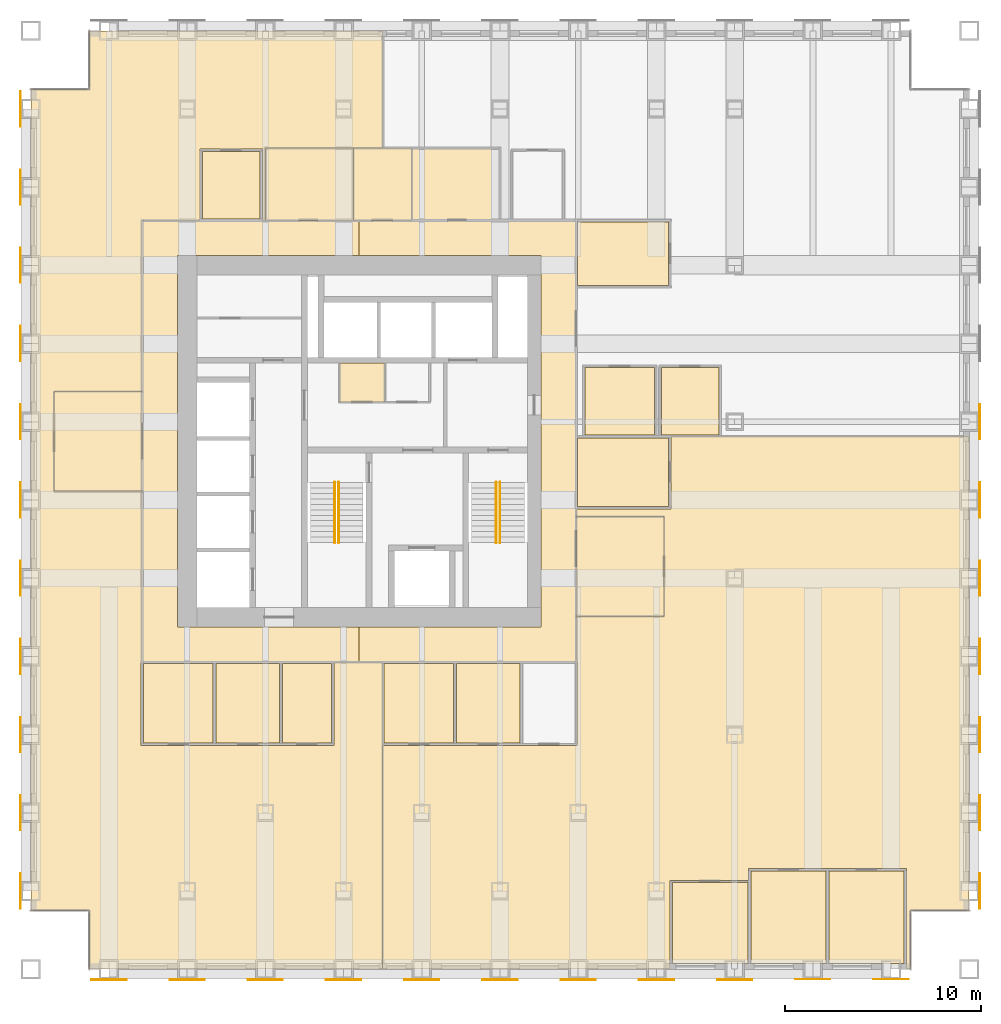
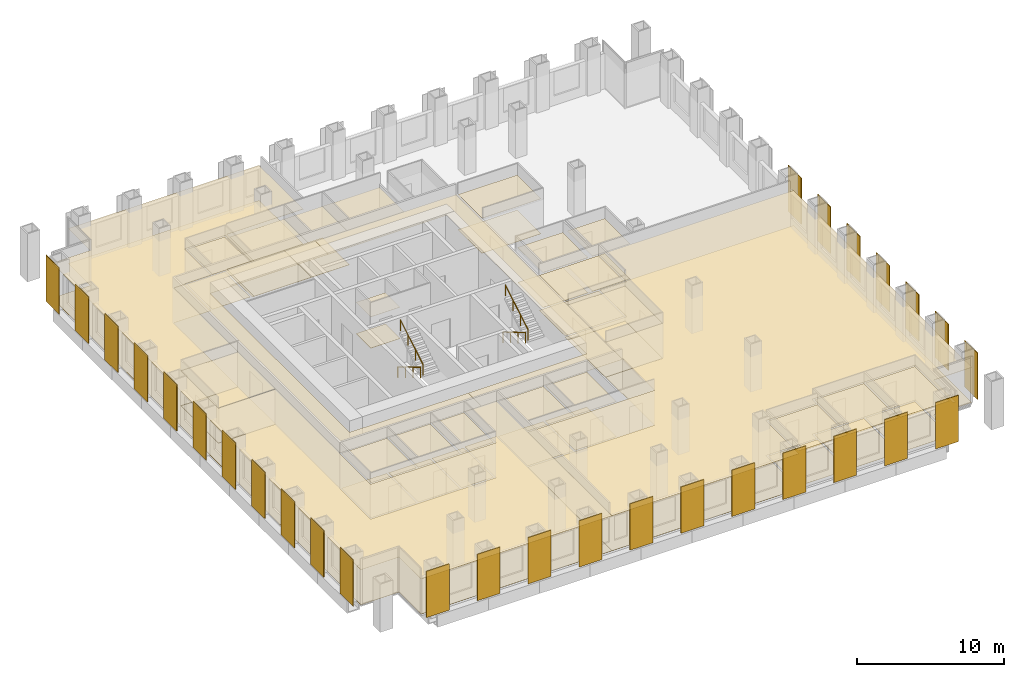
# One storey, part 15 of 16: 43 coverings, 29 shading devices, 4 railings.
"""IFC4 building model written with IfcOpenShell, lengths in metres."""

from ifc_helpers import new_model, si_unit, direction, frame, origin, origin_2d, place, context, subcontext, project, spatial, polyline, rectangle, circle, outline, extrude, material, layer, layer_set, type_object, element, save


model = new_model("IFC4")

# Units and contexts
model_context = context("Model", 3, precision=1e-05, world=origin(), true_north=direction((0.0, 1.0)))
body_context = subcontext(model_context, "Body", "Model", "MODEL_VIEW")
ifc_project = project(units=[si_unit("LENGTHUNIT", "METRE"), si_unit("AREAUNIT", "SQUARE_METRE"), si_unit("VOLUMEUNIT", "CUBIC_METRE"), si_unit("PLANEANGLEUNIT", "RADIAN"), si_unit("MASSUNIT", "GRAM", prefix="KILO")], contexts=[model_context])

# Site, building, storey
site_placement = place(None, origin())
site = spatial("IfcSite", under=ifc_project, at=site_placement, CompositionType="ELEMENT")
building_placement = place(site_placement, origin())
building = spatial("IfcBuilding", under=site, at=building_placement, Name="Rimbunsela Tower", CompositionType="ELEMENT")
storey_placement = place(building_placement, frame((0.0, 0.0, 97.39990234375)))
storey = spatial("IfcBuildingStorey", under=building, at=storey_placement, Name="L23", CompositionType="ELEMENT", Elevation=97.39990234375)

# Coverings
ifc_material_1 = material(Name="Nylon carpet tile", Category="textile")
ifc_layer_1 = layer(ifc_material_1, 0.010009765625)
ifc_layer_set_1 = layer_set([ifc_layer_1], Name="Carpet tile 10")
covering_type_1 = type_object("IfcCoveringType", Name="Carpet tile 10", PredefinedType="FLOORING", material=ifc_layer_set_1)
covering_1_placement = place(storey_placement, origin())
element("IfcCovering", 1, at=covering_1_placement, inside=storey, type_object=covering_type_1, Name="Floor finish Open office", PredefinedType="FLOORING", context=body_context, shape_type="SweptSolid", body=[
    extrude(outline(polyline([(19.449951171875, 11.449951171875), (22.75, 11.449951171875), (22.85009765625, 11.449951171875), (25.5, 11.449951171875), (25.5, 15.699951171875), (27.9990234375, 15.699951171875), (27.9990234375, 0.0), (15.699951171875, 0.0), (13.0, 0.0), (13.0, 3.0), (10.0, 3.0), (10.0, 45.0), (13.0, 45.0), (13.0, 48.0), (15.699951171875, 48.0), (27.9990234375, 48.0), (27.9990234375, 42.0), (22.0, 42.0), (22.0, 38.300048828125), (21.85009765625, 38.300048828125), (21.85009765625, 41.949951171875), (18.64990234375, 41.949951171875), (18.64990234375, 38.300048828125), (15.699951171875, 38.300048828125), (15.699951171875, 29.550048828125), (11.199951171875, 29.550048828125), (11.199951171875, 24.449951171875), (15.699951171875, 24.449951171875), (15.699951171875, 15.75), (15.64990234375, 15.75), (15.64990234375, 11.449951171875), (15.699951171875, 11.449951171875), (19.35009765625, 11.449951171875), (19.449951171875, 11.449951171875)])), origin(), (0.0, 0.0, 1.0), 0.010009765625),
])
covering_2_placement = place(storey_placement, origin())
element("IfcCovering", 2, at=covering_2_placement, inside=storey, type_object=covering_type_1, Name="Floor finish Open office", PredefinedType="FLOORING", context=body_context, shape_type="SweptSolid", body=[
    extrude(outline(polyline([(28.0009765625, 11.449951171875), (31.65087890625, 11.449951171875), (31.7509765625, 11.449951171875), (35.051025390625, 11.449951171875), (35.15087890625, 11.449951171875), (37.89990234375, 11.449951171875), (37.949951171875, 11.449951171875), (37.949951171875, 15.75), (37.89990234375, 15.75), (37.89990234375, 18.049072265625), (42.39990234375, 18.049072265625), (42.39990234375, 23.14892578125), (37.89990234375, 23.14892578125), (37.89990234375, 23.549072265625), (42.75, 23.549072265625), (42.75, 27.2490234375), (58.0, 27.2490234375), (58.0, 3.0), (55.0, 3.0), (55.0, 0.0), (54.800048828125, 0.0), (54.800048828125, 5.14990234375), (50.800048828125, 5.14990234375), (50.699951171875, 5.14990234375), (46.699951171875, 5.14990234375), (46.699951171875, 4.550048828125), (42.699951171875, 4.550048828125), (42.699951171875, 0.0), (37.89990234375, 0.0), (28.0009765625, 0.0), (28.0009765625, 11.449951171875)])), origin(), (0.0, 0.0, 1.0), 0.010009765625),
])
covering_3_placement = place(storey_placement, origin())
element("IfcCovering", 3, at=covering_3_placement, inside=storey, type_object=covering_type_1, Name="Floor finish Reception", PredefinedType="FLOORING", context=body_context, shape_type="SweptSolid", body=[
    extrude(outline(polyline([(15.699951171875, 24.449951171875), (15.699951171875, 29.550048828125), (11.199951171875, 29.550048828125), (11.199951171875, 24.449951171875), (15.699951171875, 24.449951171875)])), origin(), (0.0, 0.0, 1.0), 0.010009765625),
])
covering_4_placement = place(storey_placement, origin())
element("IfcCovering", 4, at=covering_4_placement, inside=storey, type_object=covering_type_1, Name="Floor finish Reception", PredefinedType="FLOORING", context=body_context, shape_type="SweptSolid", body=[
    extrude(outline(polyline([(42.39990234375, 18.049072265625), (42.39990234375, 23.14892578125), (37.89990234375, 23.14892578125), (37.89990234375, 18.049072265625), (42.39990234375, 18.049072265625)])), origin(), (0.0, 0.0, 1.0), 0.010009765625),
])
covering_5_placement = place(storey_placement, origin())
element("IfcCovering", 5, at=covering_5_placement, inside=storey, type_object=covering_type_1, Name="Floor finish Executive office", PredefinedType="FLOORING", context=body_context, shape_type="SweptSolid", body=[
    extrude(outline(polyline([(46.675048828125, 0.300048828125), (46.675048828125, 4.425048828125), (42.824951171875, 4.425048828125), (42.824951171875, 0.300048828125), (46.675048828125, 0.300048828125)])), origin(), (0.0, 0.0, 1.0), 0.010009765625),
])
covering_6_placement = place(storey_placement, origin())
element("IfcCovering", 6, at=covering_6_placement, inside=storey, type_object=covering_type_1, Name="Floor finish Meeting room", PredefinedType="FLOORING", context=body_context, shape_type="SweptSolid", body=[
    extrude(outline(polyline([(50.675048828125, 0.300048828125), (50.675048828125, 5.02490234375), (46.824951171875, 5.02490234375), (46.824951171875, 0.300048828125), (50.675048828125, 0.300048828125)])), origin(), (0.0, 0.0, 1.0), 0.010009765625),
])
covering_7_placement = place(storey_placement, origin())
element("IfcCovering", 7, at=covering_7_placement, inside=storey, type_object=covering_type_1, Name="Floor finish Meeting room", PredefinedType="FLOORING", context=body_context, shape_type="SweptSolid", body=[
    extrude(outline(polyline([(54.675048828125, 0.300048828125), (54.675048828125, 5.02490234375), (50.824951171875, 5.02490234375), (50.824951171875, 0.300048828125), (54.675048828125, 0.300048828125)])), origin(), (0.0, 0.0, 1.0), 0.010009765625),
])
covering_8_placement = place(storey_placement, origin())
element("IfcCovering", 8, at=covering_8_placement, inside=storey, type_object=covering_type_1, Name="Floor finish Meeting room", PredefinedType="FLOORING", context=body_context, shape_type="SweptSolid", body=[
    extrude(outline(polyline([(19.324951171875, 11.574951171875), (19.324951171875, 15.625), (15.77490234375, 15.625), (15.77490234375, 11.574951171875), (19.324951171875, 11.574951171875)])), origin(), (0.0, 0.0, 1.0), 0.010009765625),
])
covering_9_placement = place(storey_placement, origin())
element("IfcCovering", 9, at=covering_9_placement, inside=storey, type_object=covering_type_1, Name="Floor finish Pantry", PredefinedType="FLOORING", context=body_context, shape_type="SweptSolid", body=[
    extrude(outline(polyline([(22.72509765625, 11.574951171875), (22.72509765625, 15.625), (19.47509765625, 15.625), (19.47509765625, 11.574951171875), (22.72509765625, 11.574951171875)])), origin(), (0.0, 0.0, 1.0), 0.010009765625),
])
covering_10_placement = place(storey_placement, origin())
element("IfcCovering", 10, at=covering_10_placement, inside=storey, type_object=covering_type_1, Name="Floor finish Print and copy room", PredefinedType="FLOORING", context=body_context, shape_type="SweptSolid", body=[
    extrude(outline(polyline([(25.375, 11.574951171875), (25.375, 15.625), (22.875, 15.625), (22.875, 11.574951171875), (25.375, 11.574951171875)])), origin(), (0.0, 0.0, 1.0), 0.010009765625),
])
covering_11_placement = place(storey_placement, origin())
element("IfcCovering", 11, at=covering_11_placement, inside=storey, type_object=covering_type_1, Name="Floor finish Meeting room", PredefinedType="FLOORING", context=body_context, shape_type="SweptSolid", body=[
    extrude(outline(polyline([(31.6259765625, 11.574951171875), (31.6259765625, 15.625), (28.075927734375, 15.625), (28.075927734375, 11.574951171875), (31.6259765625, 11.574951171875)])), origin(), (0.0, 0.0, 1.0), 0.010009765625),
])
covering_12_placement = place(storey_placement, origin())
element("IfcCovering", 12, at=covering_12_placement, inside=storey, type_object=covering_type_1, Name="Floor finish Pantry", PredefinedType="FLOORING", context=body_context, shape_type="SweptSolid", body=[
    extrude(outline(polyline([(35.02587890625, 11.574951171875), (35.02587890625, 15.625), (31.77587890625, 15.625), (31.77587890625, 11.574951171875), (35.02587890625, 11.574951171875)])), origin(), (0.0, 0.0, 1.0), 0.010009765625),
])
covering_13_placement = place(storey_placement, origin())
element("IfcCovering", 13, at=covering_13_placement, inside=storey, type_object=covering_type_1, Name="Floor finish Office", PredefinedType="FLOORING", context=body_context, shape_type="SweptSolid", body=[
    extrude(outline(polyline([(42.625, 23.674072265625), (42.625, 27.174072265625), (37.97509765625, 27.174072265625), (37.97509765625, 23.674072265625), (42.625, 23.674072265625)])), origin(), (0.0, 0.0, 1.0), 0.010009765625),
])
covering_14_placement = place(storey_placement, origin())
element("IfcCovering", 14, at=covering_14_placement, inside=storey, type_object=covering_type_1, Name="Floor finish Office", PredefinedType="FLOORING", context=body_context, shape_type="SweptSolid", body=[
    extrude(outline(polyline([(21.72509765625, 38.375), (21.72509765625, 41.824951171875), (18.77490234375, 41.824951171875), (18.77490234375, 38.375), (21.72509765625, 38.375)])), origin(), (0.0, 0.0, 1.0), 0.010009765625),
])
covering_15_placement = place(storey_placement, origin())
element("IfcCovering", 15, at=covering_15_placement, inside=storey, type_object=covering_type_1, Name="Floor finish Meeting room", PredefinedType="FLOORING", context=body_context, shape_type="SweptSolid", body=[
    extrude(outline(polyline([(41.89990234375, 27.324951171875), (41.89990234375, 30.77490234375), (38.35009765625, 30.77490234375), (38.35009765625, 27.324951171875), (41.89990234375, 27.324951171875)])), origin(), (0.0, 0.0, 1.0), 0.010009765625),
])
covering_16_placement = place(storey_placement, origin())
element("IfcCovering", 16, at=covering_16_placement, inside=storey, type_object=covering_type_1, Name="Floor finish Pantry", PredefinedType="FLOORING", context=body_context, shape_type="SweptSolid", body=[
    extrude(outline(polyline([(42.625, 34.97509765625), (42.625, 38.22509765625), (37.97509765625, 38.22509765625), (37.97509765625, 34.97509765625), (42.625, 34.97509765625)])), origin(), (0.0, 0.0, 1.0), 0.010009765625),
])
covering_17_placement = place(storey_placement, origin())
element("IfcCovering", 17, at=covering_17_placement, inside=storey, type_object=covering_type_1, Name="Floor finish Office", PredefinedType="FLOORING", context=body_context, shape_type="SweptSolid", body=[
    extrude(outline(polyline([(45.199951171875, 27.324951171875), (45.199951171875, 30.77490234375), (42.25, 30.77490234375), (42.25, 27.324951171875), (45.199951171875, 27.324951171875)])), origin(), (0.0, 0.0, 1.0), 0.010009765625),
])
ifc_material_2 = material(Name="Mineral fibre ceiling tile", Category="gypsum")
ifc_layer_2 = layer(ifc_material_2, 0.02001953125)
ifc_layer_set_2 = layer_set([ifc_layer_2], Name="Ceiling 600 grid")
covering_type_2 = type_object("IfcCoveringType", Name="Ceiling 600 grid", PredefinedType="CEILING", material=ifc_layer_set_2)
covering_18_placement = place(storey_placement, frame((0.0, 0.0, 2.900146484375)))
element("IfcCovering", 18, at=covering_18_placement, inside=storey, type_object=covering_type_2, Name="Ceiling Ring corridor", PredefinedType="CEILING", context=body_context, shape_type="SweptSolid", body=[
    extrude(outline(polyline([(15.699951171875, 38.300048828125), (26.800048828125, 38.300048828125), (26.800048828125, 36.5), (17.5, 36.5), (17.5, 17.5), (26.800048828125, 17.5), (26.800048828125, 15.699951171875), (15.699951171875, 15.699951171875), (15.699951171875, 38.300048828125)])), origin(), (0.0, 0.0, 1.0), 0.02001953125),
])
covering_19_placement = place(storey_placement, frame((0.0, 0.0, 2.900146484375)))
element("IfcCovering", 19, at=covering_19_placement, inside=storey, type_object=covering_type_2, Name="Ceiling Ring corridor", PredefinedType="CEILING", context=body_context, shape_type="SweptSolid", body=[
    extrude(outline(polyline([(37.89990234375, 38.300048828125), (37.89990234375, 15.699951171875), (26.800048828125, 15.699951171875), (26.800048828125, 17.5), (36.10009765625, 17.5), (36.10009765625, 36.5), (26.800048828125, 36.5), (26.800048828125, 38.300048828125), (37.89990234375, 38.300048828125)])), origin(), (0.0, 0.0, 1.0), 0.02001953125),
])
covering_20_placement = place(storey_placement, frame((0.0, 0.0, 2.900146484375)))
element("IfcCovering", 20, at=covering_20_placement, inside=storey, type_object=covering_type_2, Name="Ceiling Open office", PredefinedType="CEILING", context=body_context, shape_type="SweptSolid", body=[
    extrude(outline(polyline([(19.449951171875, 11.449951171875), (22.75, 11.449951171875), (22.85009765625, 11.449951171875), (25.5, 11.449951171875), (25.5, 15.699951171875), (27.9990234375, 15.699951171875), (27.9990234375, 0.0), (15.699951171875, 0.0), (13.0, 0.0), (13.0, 3.0), (10.0, 3.0), (10.0, 45.0), (13.0, 45.0), (13.0, 48.0), (15.699951171875, 48.0), (27.9990234375, 48.0), (27.9990234375, 42.0), (22.0, 42.0), (22.0, 38.300048828125), (21.85009765625, 38.300048828125), (21.85009765625, 41.949951171875), (18.64990234375, 41.949951171875), (18.64990234375, 38.300048828125), (15.699951171875, 38.300048828125), (15.699951171875, 29.550048828125), (11.199951171875, 29.550048828125), (11.199951171875, 24.449951171875), (15.699951171875, 24.449951171875), (15.699951171875, 15.75), (15.64990234375, 15.75), (15.64990234375, 11.449951171875), (15.699951171875, 11.449951171875), (19.35009765625, 11.449951171875), (19.449951171875, 11.449951171875)])), origin(), (0.0, 0.0, 1.0), 0.02001953125),
])
covering_21_placement = place(storey_placement, frame((0.0, 0.0, 2.900146484375)))
element("IfcCovering", 21, at=covering_21_placement, inside=storey, type_object=covering_type_2, Name="Ceiling Open office", PredefinedType="CEILING", context=body_context, shape_type="SweptSolid", body=[
    extrude(outline(polyline([(28.0009765625, 11.449951171875), (31.65087890625, 11.449951171875), (31.7509765625, 11.449951171875), (35.051025390625, 11.449951171875), (35.15087890625, 11.449951171875), (37.89990234375, 11.449951171875), (37.949951171875, 11.449951171875), (37.949951171875, 15.75), (37.89990234375, 15.75), (37.89990234375, 18.049072265625), (42.39990234375, 18.049072265625), (42.39990234375, 23.14892578125), (37.89990234375, 23.14892578125), (37.89990234375, 23.549072265625), (42.75, 23.549072265625), (42.75, 27.2490234375), (58.0, 27.2490234375), (58.0, 3.0), (55.0, 3.0), (55.0, 0.0), (54.800048828125, 0.0), (54.800048828125, 5.14990234375), (50.800048828125, 5.14990234375), (50.699951171875, 5.14990234375), (46.699951171875, 5.14990234375), (46.699951171875, 4.550048828125), (42.699951171875, 4.550048828125), (42.699951171875, 0.0), (37.89990234375, 0.0), (28.0009765625, 0.0), (28.0009765625, 11.449951171875)])), origin(), (0.0, 0.0, 1.0), 0.02001953125),
])
covering_22_placement = place(storey_placement, frame((0.0, 0.0, 2.900146484375)))
element("IfcCovering", 22, at=covering_22_placement, inside=storey, type_object=covering_type_2, Name="Ceiling Reception", PredefinedType="CEILING", context=body_context, shape_type="SweptSolid", body=[
    extrude(outline(polyline([(15.699951171875, 24.449951171875), (15.699951171875, 29.550048828125), (11.199951171875, 29.550048828125), (11.199951171875, 24.449951171875), (15.699951171875, 24.449951171875)])), origin(), (0.0, 0.0, 1.0), 0.02001953125),
])
covering_23_placement = place(storey_placement, frame((0.0, 0.0, 2.900146484375)))
element("IfcCovering", 23, at=covering_23_placement, inside=storey, type_object=covering_type_2, Name="Ceiling Reception", PredefinedType="CEILING", context=body_context, shape_type="SweptSolid", body=[
    extrude(outline(polyline([(42.39990234375, 18.049072265625), (42.39990234375, 23.14892578125), (37.89990234375, 23.14892578125), (37.89990234375, 18.049072265625), (42.39990234375, 18.049072265625)])), origin(), (0.0, 0.0, 1.0), 0.02001953125),
])
covering_24_placement = place(storey_placement, frame((0.0, 0.0, 2.900146484375)))
element("IfcCovering", 24, at=covering_24_placement, inside=storey, type_object=covering_type_2, Name="Ceiling Executive office", PredefinedType="CEILING", context=body_context, shape_type="SweptSolid", body=[
    extrude(outline(polyline([(46.675048828125, 0.300048828125), (46.675048828125, 4.425048828125), (42.824951171875, 4.425048828125), (42.824951171875, 0.300048828125), (46.675048828125, 0.300048828125)])), origin(), (0.0, 0.0, 1.0), 0.02001953125),
])
covering_25_placement = place(storey_placement, frame((0.0, 0.0, 2.900146484375)))
element("IfcCovering", 25, at=covering_25_placement, inside=storey, type_object=covering_type_2, Name="Ceiling Meeting room", PredefinedType="CEILING", context=body_context, shape_type="SweptSolid", body=[
    extrude(outline(polyline([(50.675048828125, 0.300048828125), (50.675048828125, 5.02490234375), (46.824951171875, 5.02490234375), (46.824951171875, 0.300048828125), (50.675048828125, 0.300048828125)])), origin(), (0.0, 0.0, 1.0), 0.02001953125),
])
covering_26_placement = place(storey_placement, frame((0.0, 0.0, 2.900146484375)))
element("IfcCovering", 26, at=covering_26_placement, inside=storey, type_object=covering_type_2, Name="Ceiling Meeting room", PredefinedType="CEILING", context=body_context, shape_type="SweptSolid", body=[
    extrude(outline(polyline([(54.675048828125, 0.300048828125), (54.675048828125, 5.02490234375), (50.824951171875, 5.02490234375), (50.824951171875, 0.300048828125), (54.675048828125, 0.300048828125)])), origin(), (0.0, 0.0, 1.0), 0.02001953125),
])
covering_27_placement = place(storey_placement, frame((0.0, 0.0, 2.900146484375)))
element("IfcCovering", 27, at=covering_27_placement, inside=storey, type_object=covering_type_2, Name="Ceiling Meeting room", PredefinedType="CEILING", context=body_context, shape_type="SweptSolid", body=[
    extrude(outline(polyline([(19.324951171875, 11.574951171875), (19.324951171875, 15.625), (15.77490234375, 15.625), (15.77490234375, 11.574951171875), (19.324951171875, 11.574951171875)])), origin(), (0.0, 0.0, 1.0), 0.02001953125),
])
covering_28_placement = place(storey_placement, frame((0.0, 0.0, 2.900146484375)))
element("IfcCovering", 28, at=covering_28_placement, inside=storey, type_object=covering_type_2, Name="Ceiling Pantry", PredefinedType="CEILING", context=body_context, shape_type="SweptSolid", body=[
    extrude(outline(polyline([(22.72509765625, 11.574951171875), (22.72509765625, 15.625), (19.47509765625, 15.625), (19.47509765625, 11.574951171875), (22.72509765625, 11.574951171875)])), origin(), (0.0, 0.0, 1.0), 0.02001953125),
])
covering_29_placement = place(storey_placement, frame((0.0, 0.0, 2.900146484375)))
element("IfcCovering", 29, at=covering_29_placement, inside=storey, type_object=covering_type_2, Name="Ceiling Print and copy room", PredefinedType="CEILING", context=body_context, shape_type="SweptSolid", body=[
    extrude(outline(polyline([(25.375, 11.574951171875), (25.375, 15.625), (22.875, 15.625), (22.875, 11.574951171875), (25.375, 11.574951171875)])), origin(), (0.0, 0.0, 1.0), 0.02001953125),
])
covering_30_placement = place(storey_placement, frame((0.0, 0.0, 2.900146484375)))
element("IfcCovering", 30, at=covering_30_placement, inside=storey, type_object=covering_type_2, Name="Ceiling Meeting room", PredefinedType="CEILING", context=body_context, shape_type="SweptSolid", body=[
    extrude(outline(polyline([(31.6259765625, 11.574951171875), (31.6259765625, 15.625), (28.075927734375, 15.625), (28.075927734375, 11.574951171875), (31.6259765625, 11.574951171875)])), origin(), (0.0, 0.0, 1.0), 0.02001953125),
])
covering_31_placement = place(storey_placement, frame((0.0, 0.0, 2.900146484375)))
element("IfcCovering", 31, at=covering_31_placement, inside=storey, type_object=covering_type_2, Name="Ceiling Pantry", PredefinedType="CEILING", context=body_context, shape_type="SweptSolid", body=[
    extrude(outline(polyline([(35.02587890625, 11.574951171875), (35.02587890625, 15.625), (31.77587890625, 15.625), (31.77587890625, 11.574951171875), (35.02587890625, 11.574951171875)])), origin(), (0.0, 0.0, 1.0), 0.02001953125),
])
covering_32_placement = place(storey_placement, frame((0.0, 0.0, 2.900146484375)))
element("IfcCovering", 32, at=covering_32_placement, inside=storey, type_object=covering_type_2, Name="Ceiling Office", PredefinedType="CEILING", context=body_context, shape_type="SweptSolid", body=[
    extrude(outline(polyline([(42.625, 23.674072265625), (42.625, 27.174072265625), (37.97509765625, 27.174072265625), (37.97509765625, 23.674072265625), (42.625, 23.674072265625)])), origin(), (0.0, 0.0, 1.0), 0.02001953125),
])
covering_33_placement = place(storey_placement, frame((0.0, 0.0, 2.900146484375)))
element("IfcCovering", 33, at=covering_33_placement, inside=storey, type_object=covering_type_2, Name="Ceiling Office", PredefinedType="CEILING", context=body_context, shape_type="SweptSolid", body=[
    extrude(outline(polyline([(21.72509765625, 38.375), (21.72509765625, 41.824951171875), (18.77490234375, 41.824951171875), (18.77490234375, 38.375), (21.72509765625, 38.375)])), origin(), (0.0, 0.0, 1.0), 0.02001953125),
])
covering_34_placement = place(storey_placement, frame((0.0, 0.0, 2.900146484375)))
element("IfcCovering", 34, at=covering_34_placement, inside=storey, type_object=covering_type_2, Name="Ceiling Meeting room", PredefinedType="CEILING", context=body_context, shape_type="SweptSolid", body=[
    extrude(outline(polyline([(41.89990234375, 27.324951171875), (41.89990234375, 30.77490234375), (38.35009765625, 30.77490234375), (38.35009765625, 27.324951171875), (41.89990234375, 27.324951171875)])), origin(), (0.0, 0.0, 1.0), 0.02001953125),
])
covering_35_placement = place(storey_placement, frame((0.0, 0.0, 2.900146484375)))
element("IfcCovering", 35, at=covering_35_placement, inside=storey, type_object=covering_type_2, Name="Ceiling Pantry", PredefinedType="CEILING", context=body_context, shape_type="SweptSolid", body=[
    extrude(outline(polyline([(42.625, 34.97509765625), (42.625, 38.22509765625), (37.97509765625, 38.22509765625), (37.97509765625, 34.97509765625), (42.625, 34.97509765625)])), origin(), (0.0, 0.0, 1.0), 0.02001953125),
])
covering_36_placement = place(storey_placement, frame((0.0, 0.0, 2.900146484375)))
element("IfcCovering", 36, at=covering_36_placement, inside=storey, type_object=covering_type_2, Name="Ceiling Office", PredefinedType="CEILING", context=body_context, shape_type="SweptSolid", body=[
    extrude(outline(polyline([(45.199951171875, 27.324951171875), (45.199951171875, 30.77490234375), (42.25, 30.77490234375), (42.25, 27.324951171875), (45.199951171875, 27.324951171875)])), origin(), (0.0, 0.0, 1.0), 0.02001953125),
])
ifc_material_3 = material(Name="Moisture-resistant plasterboard ceiling", Category="gypsum")
ifc_layer_3 = layer(ifc_material_3, 0.012451171875)
ifc_layer_set_3 = layer_set([ifc_layer_3], Name="Ceiling moisture-resistant board")
covering_type_3 = type_object("IfcCoveringType", Name="Ceiling moisture-resistant board", PredefinedType="CEILING", material=ifc_layer_set_3)
covering_37_placement = place(storey_placement, frame((0.0, 0.0, 2.60009765625)))
element("IfcCovering", 37, at=covering_37_placement, inside=storey, type_object=covering_type_3, Name="Ceiling Staff WC", PredefinedType="CEILING", context=body_context, shape_type="SweptSolid", body=[
    extrude(outline(polyline([(28.10009765625, 29.0), (28.10009765625, 31.0), (25.800048828125, 31.0), (25.800048828125, 29.0), (28.10009765625, 29.0)])), origin(), (0.0, 0.0, 1.0), 0.02001953125),
])
covering_38_placement = place(storey_placement, frame((0.0, 0.0, 2.60009765625)))
element("IfcCovering", 38, at=covering_38_placement, inside=storey, type_object=covering_type_3, Name="Ceiling Female WC", PredefinedType="CEILING", context=body_context, shape_type="SweptSolid", body=[
    extrude(outline(polyline([(26.5, 38.300048828125), (26.5, 42.0), (22.0, 42.0), (22.0, 38.300048828125), (26.5, 38.300048828125)])), origin(), (0.0, 0.0, 1.0), 0.02001953125),
])
covering_39_placement = place(storey_placement, frame((0.0, 0.0, 2.60009765625)))
element("IfcCovering", 39, at=covering_39_placement, inside=storey, type_object=covering_type_3, Name="Ceiling Accessible WC", PredefinedType="CEILING", context=body_context, shape_type="SweptSolid", body=[
    extrude(outline(polyline([(29.5, 38.300048828125), (29.5, 42.0), (26.5, 42.0), (26.5, 38.300048828125), (29.5, 38.300048828125)])), origin(), (0.0, 0.0, 1.0), 0.02001953125),
])
covering_40_placement = place(storey_placement, frame((0.0, 0.0, 2.60009765625)))
element("IfcCovering", 40, at=covering_40_placement, inside=storey, type_object=covering_type_3, Name="Ceiling Male WC", PredefinedType="CEILING", context=body_context, shape_type="SweptSolid", body=[
    extrude(outline(polyline([(34.0, 38.300048828125), (34.0, 42.0), (29.5, 42.0), (29.5, 38.300048828125), (34.0, 38.300048828125)])), origin(), (0.0, 0.0, 1.0), 0.02001953125),
])
ifc_material_4 = material(Name="Porcelain floor tile in adhesive bed", Category="ceramic")
ifc_layer_4 = layer(ifc_material_4, 0.02001953125)
ifc_layer_set_4 = layer_set([ifc_layer_4], Name="Porcelain tile 20")
covering_type_4 = type_object("IfcCoveringType", Name="Porcelain tile 20", PredefinedType="FLOORING", material=ifc_layer_set_4)
covering_41_placement = place(storey_placement, origin())
element("IfcCovering", 41, at=covering_41_placement, inside=storey, type_object=covering_type_4, Name="Floor finish Staff WC", PredefinedType="FLOORING", context=body_context, shape_type="SweptSolid", body=[
    extrude(outline(polyline([(28.10009765625, 29.0), (28.10009765625, 31.0), (25.800048828125, 31.0), (25.800048828125, 29.0), (28.10009765625, 29.0)])), origin(), (0.0, 0.0, 1.0), 0.02001953125),
])
covering_42_placement = place(storey_placement, origin())
element("IfcCovering", 42, at=covering_42_placement, inside=storey, type_object=covering_type_4, Name="Floor finish Female WC", PredefinedType="FLOORING", context=body_context, shape_type="SweptSolid", body=[
    extrude(outline(polyline([(26.5, 38.300048828125), (26.5, 42.0), (22.0, 42.0), (22.0, 38.300048828125), (26.5, 38.300048828125)])), origin(), (0.0, 0.0, 1.0), 0.02001953125),
])
covering_43_placement = place(storey_placement, origin())
element("IfcCovering", 43, at=covering_43_placement, inside=storey, type_object=covering_type_4, Name="Floor finish Accessible WC", PredefinedType="FLOORING", context=body_context, shape_type="SweptSolid", body=[
    extrude(outline(polyline([(29.5, 38.300048828125), (29.5, 42.0), (26.5, 42.0), (26.5, 38.300048828125), (29.5, 38.300048828125)])), origin(), (0.0, 0.0, 1.0), 0.02001953125),
])

# Shading devices
ifc_material_5 = material(Name="Perforated aluminium, 35 % open area", Category="aluminium")
ifc_layer_5 = layer(ifc_material_5, 0.050048828125)
ifc_layer_set_5 = layer_set([ifc_layer_5], Name="Solar screen panel 1800")
shading_device_type = type_object("IfcShadingDeviceType", Name="Solar screen panel 1800", PredefinedType="USERDEFINED", material=ifc_layer_set_5)
for number, where, z_axis, x_axis, name in (
    (44, (14.0, -0.52490234375, 0.0), (0.0, 0.0, 1.0), (1.0, 0.0, 0.0), "Solar screen S L23"),
    (45, (18.0, -0.52490234375, 0.0), (0.0, 0.0, 1.0), (1.0, 0.0, 0.0), "Solar screen S L23"),
    (46, (22.0, -0.52490234375, 0.0), (0.0, 0.0, 1.0), (1.0, 0.0, 0.0), "Solar screen S L23"),
    (47, (26.0, -0.52490234375, 0.0), (0.0, 0.0, 1.0), (1.0, 0.0, 0.0), "Solar screen S L23"),
    (48, (30.0, -0.52490234375, 0.0), (0.0, 0.0, 1.0), (1.0, 0.0, 0.0), "Solar screen S L23"),
    (49, (34.0, -0.52490234375, 0.0), (0.0, 0.0, 1.0), (1.0, 0.0, 0.0), "Solar screen S L23"),
    (50, (38.0, -0.52490234375, 0.0), (0.0, 0.0, 1.0), (1.0, 0.0, 0.0), "Solar screen S L23"),
    (51, (42.0, -0.52490234375, 0.0), (0.0, 0.0, 1.0), (1.0, 0.0, 0.0), "Solar screen S L23"),
    (52, (46.0, -0.52490234375, 0.0), (0.0, 0.0, 1.0), (1.0, 0.0, 0.0), "Solar screen S L23"),
    (53, (50.0, -0.52490234375, 0.0), (0.0, 0.0, 1.0), (1.0, 0.0, 0.0), "Solar screen S L23"),
    (54, (54.0, -0.52490234375, 0.0), (0.0, 0.0, 1.0), (1.0, 0.0, 0.0), "Solar screen S L23"),
    (55, (58.52490234375, 4.0, 0.0), (0.0, 0.0, 1.0), (0.0, 1.0, 0.0), "Solar screen E L23"),
    (56, (58.52490234375, 8.0, 0.0), (0.0, 0.0, 1.0), (0.0, 1.0, 0.0), "Solar screen E L23"),
    (57, (58.52490234375, 12.0, 0.0), (0.0, 0.0, 1.0), (0.0, 1.0, 0.0), "Solar screen E L23"),
    (58, (58.52490234375, 16.0, 0.0), (0.0, 0.0, 1.0), (0.0, 1.0, 0.0), "Solar screen E L23"),
    (59, (58.52490234375, 20.0, 0.0), (0.0, 0.0, 1.0), (0.0, 1.0, 0.0), "Solar screen E L23"),
    (60, (58.52490234375, 24.0, 0.0), (0.0, 0.0, 1.0), (0.0, 1.0, 0.0), "Solar screen E L23"),
    (61, (58.52490234375, 28.0, 0.0), (0.0, 0.0, 1.0), (0.0, 1.0, 0.0), "Solar screen E L23"),
    (62, (9.47509765625, 4.0, 0.0), (0.0, 0.0, 1.0), (0.0, 1.0, 0.0), "Solar screen W L23"),
    (63, (9.47509765625, 8.0, 0.0), (0.0, 0.0, 1.0), (0.0, 1.0, 0.0), "Solar screen W L23"),
    (64, (9.47509765625, 12.0, 0.0), (0.0, 0.0, 1.0), (0.0, 1.0, 0.0), "Solar screen W L23"),
    (65, (9.47509765625, 16.0, 0.0), (0.0, 0.0, 1.0), (0.0, 1.0, 0.0), "Solar screen W L23"),
    (66, (9.47509765625, 20.0, 0.0), (0.0, 0.0, 1.0), (0.0, 1.0, 0.0), "Solar screen W L23"),
    (67, (9.47509765625, 24.0, 0.0), (0.0, 0.0, 1.0), (0.0, 1.0, 0.0), "Solar screen W L23"),
    (68, (9.47509765625, 28.0, 0.0), (0.0, 0.0, 1.0), (0.0, 1.0, 0.0), "Solar screen W L23"),
    (69, (9.47509765625, 32.0, 0.0), (0.0, 0.0, 1.0), (0.0, 1.0, 0.0), "Solar screen W L23"),
    (70, (9.47509765625, 36.0, 0.0), (0.0, 0.0, 1.0), (0.0, 1.0, 0.0), "Solar screen W L23"),
    (71, (9.47509765625, 40.0, 0.0), (0.0, 0.0, 1.0), (0.0, 1.0, 0.0), "Solar screen W L23"),
    (72, (9.47509765625, 44.0, 0.0), (0.0, 0.0, 1.0), (0.0, 1.0, 0.0), "Solar screen W L23"),
):
    element("IfcShadingDevice", number, at=place(storey_placement, frame(where, z_axis=z_axis, x_axis=x_axis)), inside=storey, type_object=shading_device_type, Name=name, ObjectType="SCREEN", PredefinedType="USERDEFINED", context=body_context, shape_type="SweptSolid", body=[
        extrude(rectangle(XDim=1.800048828125, YDim=0.050048828125, at=origin_2d()), origin(), (0.0, 0.0, 1.0), 3.85009765625),
    ])

# Railings
ifc_material_6 = material(Name="Stainless steel tube", Category="steel")
railing_type = type_object("IfcRailingType", Name="Stair handrail 900", PredefinedType="HANDRAIL", material=ifc_material_6)
railing_1_placement = place(storey_placement, frame((25.550048828125, 24.89990234375, 0.166748046875)))
element("IfcRailing", 73, at=railing_1_placement, inside=storey, type_object=railing_type, Name="Handrail ST-A flight 1", PredefinedType="HANDRAIL", context=body_context, shape_type="SweptSolid", body=[
    extrude(circle(Radius=0.02392578125, at=origin_2d()), frame((0.0, 0.0, 0.8759765625), z_axis=(0.0, -0.859290745958, 0.51148745235), x_axis=(1.0, 0.0, 0.0)), (0.0, 0.0, 1.0), 3.584228515625),
    extrude(circle(Radius=0.02099609375, at=origin_2d()), origin(), (0.0, 0.0, 1.0), 0.851806640625),
    extrude(circle(Radius=0.02099609375, at=origin_2d()), frame((0.0, -1.026611328125, 0.611083984375)), (0.0, 0.0, 1.0), 0.851806640625),
    extrude(circle(Radius=0.02099609375, at=origin_2d()), frame((0.0, -2.05322265625, 1.22216796875)), (0.0, 0.0, 1.0), 0.851806640625),
    extrude(circle(Radius=0.02099609375, at=origin_2d()), frame((0.0, -3.079833984375, 1.833251953125)), (0.0, 0.0, 1.0), 0.851806640625),
])
railing_2_placement = place(storey_placement, frame((25.75, 21.820068359375, 2.166748046875)))
element("IfcRailing", 74, at=railing_2_placement, inside=storey, type_object=railing_type, Name="Handrail ST-A flight 2", PredefinedType="HANDRAIL", context=body_context, shape_type="SweptSolid", body=[
    extrude(circle(Radius=0.02392578125, at=origin_2d()), frame((0.0, 0.0, 0.8759765625), z_axis=(0.0, 0.859290745958, 0.51148745235), x_axis=(-1.0, 0.0, 0.0)), (0.0, 0.0, 1.0), 3.584228515625),
    extrude(circle(Radius=0.02099609375, at=origin_2d()), origin(), (0.0, 0.0, 1.0), 0.851806640625),
    extrude(circle(Radius=0.02099609375, at=origin_2d()), frame((0.0, 1.026611328125, 0.611083984375)), (0.0, 0.0, 1.0), 0.851806640625),
    extrude(circle(Radius=0.02099609375, at=origin_2d()), frame((0.0, 2.05322265625, 1.22216796875)), (0.0, 0.0, 1.0), 0.851806640625),
    extrude(circle(Radius=0.02099609375, at=origin_2d()), frame((0.0, 3.079833984375, 1.833251953125)), (0.0, 0.0, 1.0), 0.851806640625),
])
railing_3_placement = place(storey_placement, frame((33.800048828125, 24.89990234375, 0.166748046875)))
element("IfcRailing", 75, at=railing_3_placement, inside=storey, type_object=railing_type, Name="Handrail ST-B flight 1", PredefinedType="HANDRAIL", context=body_context, shape_type="SweptSolid", body=[
    extrude(circle(Radius=0.02392578125, at=origin_2d()), frame((0.0, 0.0, 0.8759765625), z_axis=(0.0, -0.859290745958, 0.51148745235), x_axis=(1.0, 0.0, 0.0)), (0.0, 0.0, 1.0), 3.584228515625),
    extrude(circle(Radius=0.02099609375, at=origin_2d()), origin(), (0.0, 0.0, 1.0), 0.851806640625),
    extrude(circle(Radius=0.02099609375, at=origin_2d()), frame((0.0, -1.026611328125, 0.611083984375)), (0.0, 0.0, 1.0), 0.851806640625),
    extrude(circle(Radius=0.02099609375, at=origin_2d()), frame((0.0, -2.05322265625, 1.22216796875)), (0.0, 0.0, 1.0), 0.851806640625),
    extrude(circle(Radius=0.02099609375, at=origin_2d()), frame((0.0, -3.079833984375, 1.833251953125)), (0.0, 0.0, 1.0), 0.851806640625),
])
railing_4_placement = place(storey_placement, frame((34.0, 21.820068359375, 2.166748046875)))
element("IfcRailing", 76, at=railing_4_placement, inside=storey, type_object=railing_type, Name="Handrail ST-B flight 2", PredefinedType="HANDRAIL", context=body_context, shape_type="SweptSolid", body=[
    extrude(circle(Radius=0.02392578125, at=origin_2d()), frame((0.0, 0.0, 0.8759765625), z_axis=(0.0, 0.859290745958, 0.51148745235), x_axis=(-1.0, 0.0, 0.0)), (0.0, 0.0, 1.0), 3.584228515625),
    extrude(circle(Radius=0.02099609375, at=origin_2d()), origin(), (0.0, 0.0, 1.0), 0.851806640625),
    extrude(circle(Radius=0.02099609375, at=origin_2d()), frame((0.0, 1.026611328125, 0.611083984375)), (0.0, 0.0, 1.0), 0.851806640625),
    extrude(circle(Radius=0.02099609375, at=origin_2d()), frame((0.0, 2.05322265625, 1.22216796875)), (0.0, 0.0, 1.0), 0.851806640625),
    extrude(circle(Radius=0.02099609375, at=origin_2d()), frame((0.0, 3.079833984375, 1.833251953125)), (0.0, 0.0, 1.0), 0.851806640625),
])

save(model, "model.ifc")
